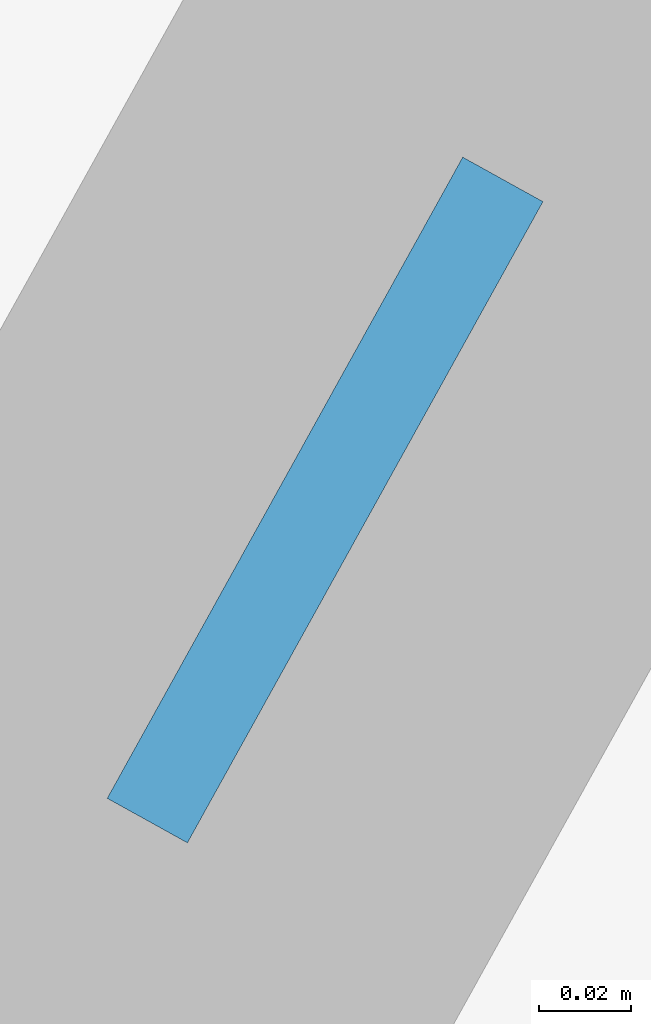
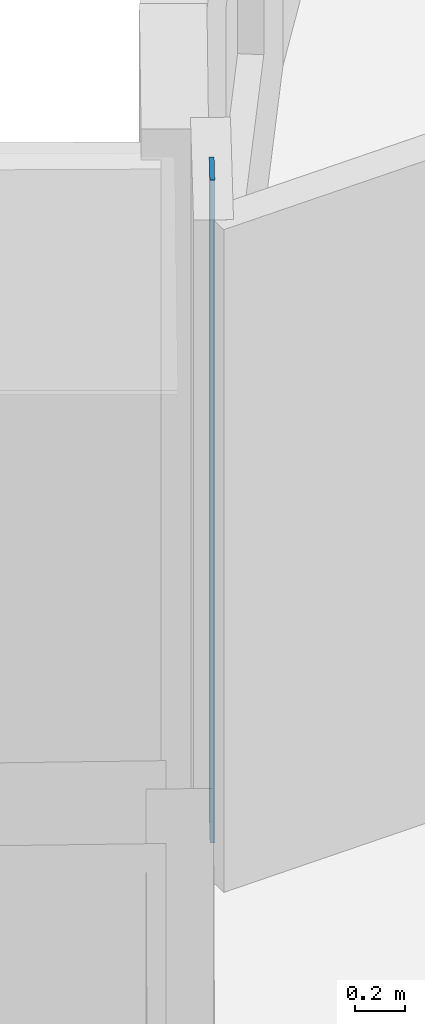
# One storey, part 2 of 10: 1 plate.
"""IFC4 building model written with IfcOpenShell, lengths in metres."""

from ifc_helpers import new_model, si_unit, direction, frame, origin, origin_2d, place, context, subcontext, project, spatial, rectangle, extrude, material, layer, layer_set, type_object, element, save


model = new_model("IFC4")

# Units and contexts
model_context = context("Model", 3, precision=1e-05, world=origin(), true_north=direction((0.0, 1.0)))
body_context = subcontext(model_context, "Body", "Model", "MODEL_VIEW")
ifc_project = project(units=[si_unit("LENGTHUNIT", "METRE"), si_unit("AREAUNIT", "SQUARE_METRE"), si_unit("VOLUMEUNIT", "CUBIC_METRE"), si_unit("PLANEANGLEUNIT", "RADIAN"), si_unit("MASSUNIT", "GRAM", prefix="KILO")], contexts=[model_context])

# Site, building, storey
site_placement = place(None, origin())
site = spatial("IfcSite", under=ifc_project, at=site_placement, CompositionType="ELEMENT")
building_placement = place(site_placement, origin())
building = spatial("IfcBuilding", under=site, at=building_placement, Name="Miruveldt Soraemaru", CompositionType="ELEMENT")
storey_placement = place(building_placement, frame((0.0, 0.0, 166.89990234375)))
storey = spatial("IfcBuildingStorey", under=building, at=storey_placement, Name="L46", CompositionType="ELEMENT", Elevation=166.89990234375)

# Plate
ifc_material = material(Name="Anodised aluminium EN AW-6063 T6", Category="aluminium")
ifc_layer = layer(ifc_material, 0.02001953125, Name="Anodised aluminium EN AW-6063 T6", Category="aluminium")
ifc_layer_set = layer_set([ifc_layer], Name="Anodised aluminium EN AW-6063 T6")
plate_type = type_object("IfcPlateType", Name="PLT-PART-TRIM", PredefinedType="SHEET", material=ifc_layer_set)
plate_placement = place(storey_placement, frame((31.17431640625, 54.87744140625, 0.0), z_axis=(0.0, 0.0, 1.0), x_axis=(0.484962262797, 0.874535078577, 0.0)))
element("IfcPlate", 1, at=plate_placement, inside=storey, type_object=plate_type, Name="L46 Partition Step Corner Trim Plate 001", PredefinedType="SHEET", context=body_context, shape_type="SweptSolid", body=[
    extrude(rectangle(XDim=0.159912109375, YDim=0.02001953125, at=origin_2d()), origin(), (0.0, 0.0, 1.0), 3.235107421875),
])

save(model, "model.ifc")
